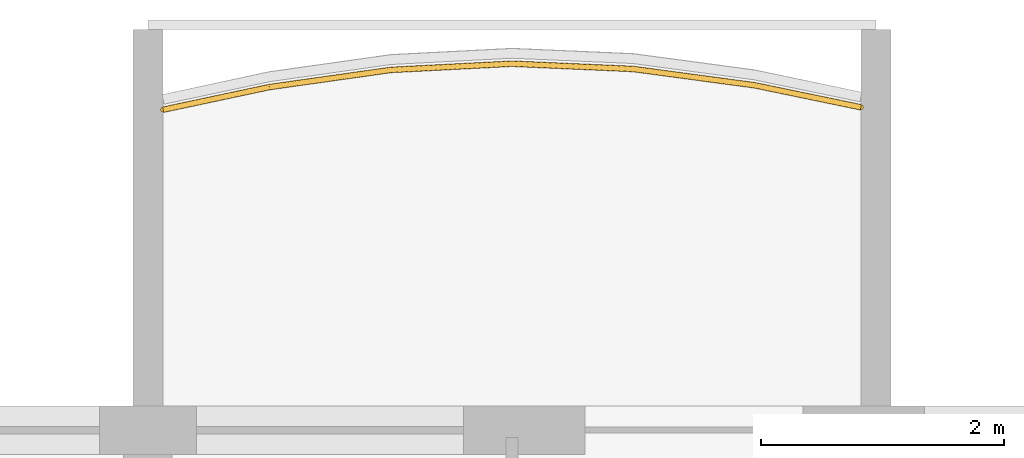
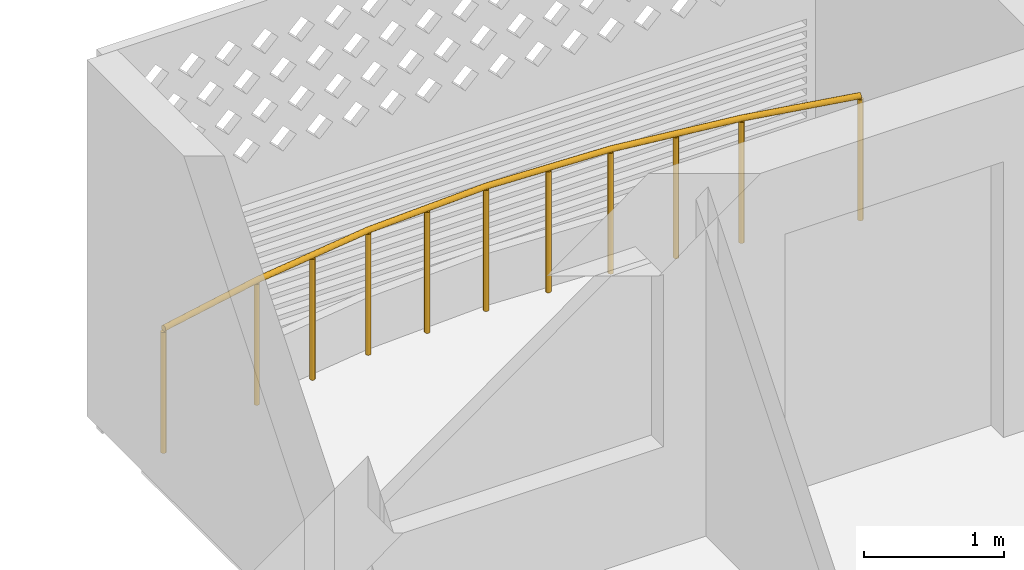
# One storey, part 24 of 38: 1 railing.
"""IFC4 building model written with IfcOpenShell, lengths in metres."""

from ifc_helpers import new_model, si_unit, direction, frame, origin, origin_2d, place, context, subcontext, project, spatial, circle, extrude, material, type_object, element, save


model = new_model("IFC4")

# Units and contexts
model_context = context("Model", 3, precision=1e-05, world=origin(), true_north=direction((0.0, 1.0)))
body_context = subcontext(model_context, "Body", "Model", "MODEL_VIEW")
ifc_project = project(units=[si_unit("LENGTHUNIT", "METRE"), si_unit("AREAUNIT", "SQUARE_METRE"), si_unit("VOLUMEUNIT", "CUBIC_METRE"), si_unit("PLANEANGLEUNIT", "RADIAN"), si_unit("MASSUNIT", "GRAM", prefix="KILO")], contexts=[model_context])

# Site, building, storey
site_placement = place(None, origin())
site = spatial("IfcSite", under=ifc_project, at=site_placement, CompositionType="ELEMENT")
building_placement = place(site_placement, origin())
building = spatial("IfcBuilding", under=site, at=building_placement, Name="Poui Terraces", CompositionType="ELEMENT")
storey_placement = place(building_placement, frame((0.0, 0.0, 49.800048828125)))
storey = spatial("IfcBuildingStorey", under=building, at=storey_placement, Name="L13", CompositionType="ELEMENT", Elevation=49.800048828125)

# Railing
ifc_material = material(Name="Painted steel fretwork", Category="steel")
railing_type = type_object("IfcRailingType", Name="BALCONY GUARD 1100", PredefinedType="GUARDRAIL", material=ifc_material)
railing_placement = place(storey_placement, frame((30.125, 47.440673828125, 0.0)))
element("IfcRailing", 1, at=railing_placement, inside=storey, type_object=railing_type, Name="BALCONY GUARD", PredefinedType="GUARDRAIL", context=body_context, shape_type="SweptSolid", body=[
    extrude(circle(Radius=0.02392578125, at=origin_2d()), frame((0.0, 0.0, 1.076171875), z_axis=(0.978081102003, 0.208224297106, 0.0), x_axis=(-0.208224297106, 0.978081102003, 0.0)), (0.0, 0.0, 1.0), 0.89453125),
    extrude(circle(Radius=0.02392578125, at=origin_2d()), frame((0.875, 0.186279296875, 1.076171875), z_axis=(0.99015631817, 0.13996594439, 0.0), x_axis=(-0.13996594439, 0.99015631817, 0.0)), (0.0, 0.0, 1.0), 1.010009765625),
    extrude(circle(Radius=0.02392578125, at=origin_2d()), frame((1.875, 0.32763671875, 1.076171875), z_axis=(0.998675805692, 0.051445457764, 0.0), x_axis=(-0.051445457764, 0.998675805692, 0.0)), (0.0, 0.0, 1.0), 1.001220703125),
    extrude(circle(Radius=0.02392578125, at=origin_2d()), frame((2.875, 0.379150390625, 1.076171875), z_axis=(0.999046469355, -0.043659501468, 0.0), x_axis=(0.043659501468, 0.999046469355, 0.0)), (0.0, 0.0, 1.0), 1.0009765625),
    extrude(circle(Radius=0.02392578125, at=origin_2d()), frame((3.875, 0.33544921875, 1.076171875), z_axis=(0.991104904979, -0.133082934018, 0.0), x_axis=(0.133082934018, 0.991104904979, 0.0)), (0.0, 0.0, 1.0), 1.009033203125),
    extrude(circle(Radius=0.02392578125, at=origin_2d()), frame((4.875, 0.201171875, 1.076171875), z_axis=(0.979234241666, -0.202732089095, 0.0), x_axis=(0.202732089095, 0.979234241666, 0.0)), (0.0, 0.0, 1.0), 0.8935546875),
    extrude(circle(Radius=0.02099609375, at=origin_2d()), origin(), (0.0, 0.0, 1.0), 1.052001953125),
    extrude(circle(Radius=0.02099609375, at=origin_2d()), frame((0.875, 0.186279296875, 0.0)), (0.0, 0.0, 1.0), 1.052001953125),
    extrude(circle(Radius=0.02099609375, at=origin_2d()), frame((1.375, 0.2568359375, 0.0)), (0.0, 0.0, 1.0), 1.052001953125),
    extrude(circle(Radius=0.02099609375, at=origin_2d()), frame((1.875, 0.32763671875, 0.0)), (0.0, 0.0, 1.0), 1.052001953125),
    extrude(circle(Radius=0.02099609375, at=origin_2d()), frame((2.375, 0.353515625, 0.0)), (0.0, 0.0, 1.0), 1.052001953125),
    extrude(circle(Radius=0.02099609375, at=origin_2d()), frame((2.875, 0.379150390625, 0.0)), (0.0, 0.0, 1.0), 1.052001953125),
    extrude(circle(Radius=0.02099609375, at=origin_2d()), frame((3.375, 0.357421875, 0.0)), (0.0, 0.0, 1.0), 1.052001953125),
    extrude(circle(Radius=0.02099609375, at=origin_2d()), frame((3.875, 0.33544921875, 0.0)), (0.0, 0.0, 1.0), 1.052001953125),
    extrude(circle(Radius=0.02099609375, at=origin_2d()), frame((4.375, 0.268310546875, 0.0)), (0.0, 0.0, 1.0), 1.052001953125),
    extrude(circle(Radius=0.02099609375, at=origin_2d()), frame((4.875, 0.201171875, 0.0)), (0.0, 0.0, 1.0), 1.052001953125),
    extrude(circle(Radius=0.02099609375, at=origin_2d()), frame((5.75, 0.02001953125, 0.0)), (0.0, 0.0, 1.0), 1.052001953125),
])

save(model, "model.ifc")
